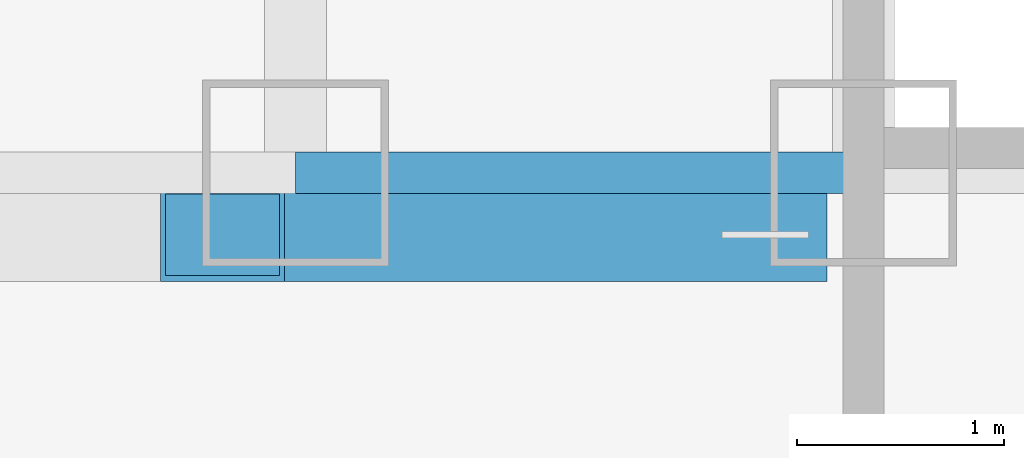
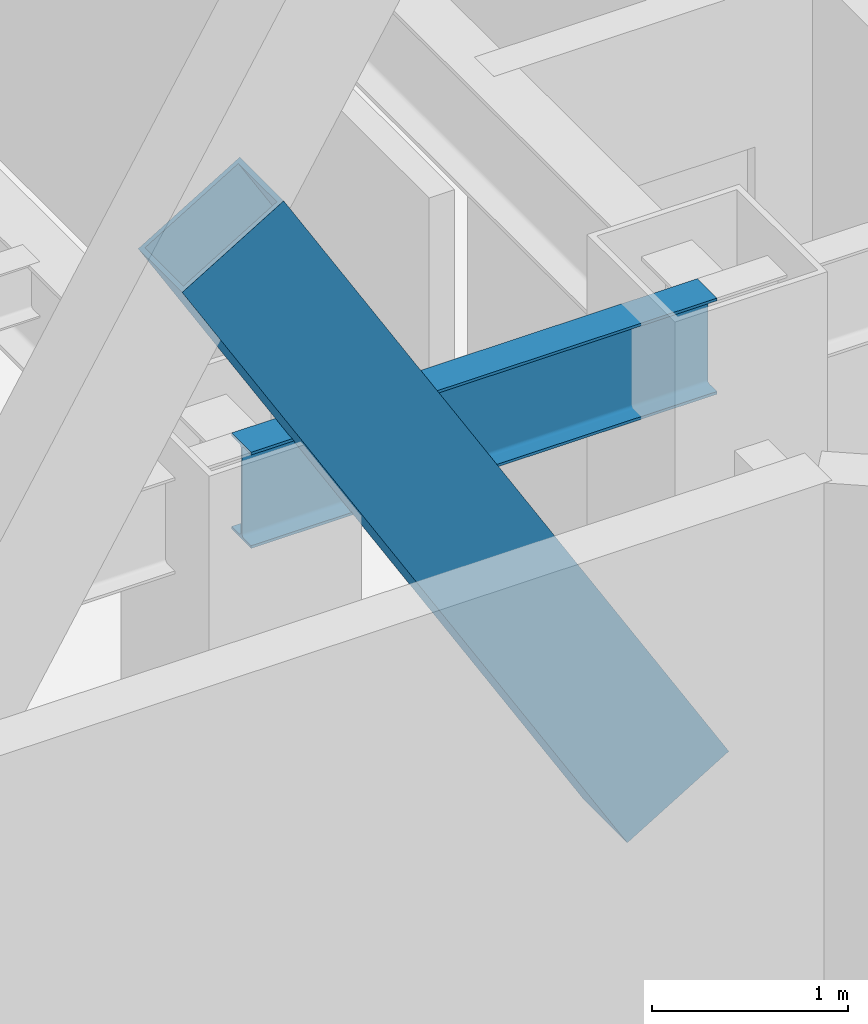
# One storey, part 3 of 30: 1 beam, 1 member.
"""IFC4 building model written with IfcOpenShell, lengths in metres."""

from ifc_helpers import new_model, si_unit, direction, frame, origin, origin_2d, place, context, subcontext, project, spatial, hollow_rectangle, i_section, extrude, material, material_profile, profile_set, type_object, element, save


model = new_model("IFC4")

# Units and contexts
model_context = context("Model", 3, precision=1e-05, world=origin(), true_north=direction((0.0, 1.0)))
body_context = subcontext(model_context, "Body", "Model", "MODEL_VIEW")
ifc_project = project(units=[si_unit("LENGTHUNIT", "METRE"), si_unit("AREAUNIT", "SQUARE_METRE"), si_unit("VOLUMEUNIT", "CUBIC_METRE"), si_unit("PLANEANGLEUNIT", "RADIAN"), si_unit("MASSUNIT", "GRAM", prefix="KILO")], contexts=[model_context])

# Site, building, storey
site_placement = place(None, origin())
site = spatial("IfcSite", under=ifc_project, at=site_placement, CompositionType="ELEMENT")
building_placement = place(site_placement, origin())
building = spatial("IfcBuilding", under=site, at=building_placement, Name="Hatsunagi Terrace Concourse", CompositionType="ELEMENT")
storey_placement = place(building_placement, frame((0.0, 0.0, 74.60009765625)))
storey = spatial("IfcBuildingStorey", under=building, at=storey_placement, Name="L19", CompositionType="ELEMENT", Elevation=74.60009765625)

# Beam
ifc_material_1 = material(Name="Steel SN490B", Category="steel")
ifc_material_profile_1 = material_profile(ifc_material_1, i_section(OverallWidth=0.199951171875, OverallDepth=0.60009765625, WebThickness=0.010986328125, FlangeThickness=0.01708984375, FilletRadius=0.01806640625, at=origin_2d()), Name="H-600x200x11x17")
ifc_profile_set_1 = profile_set([ifc_material_profile_1], Name="Steel SN490B")
beam_type = type_object("IfcBeamType", Name="PerimeterSpandrel_H_600x200", PredefinedType="SPANDREL", material=ifc_profile_set_1)
beam_placement = place(storey_placement, frame((22.800048828125, 25.199951171875, 2.829833984375), z_axis=(1.0, 0.0, 0.0), x_axis=(0.0, 1.0, 0.0)))
element("IfcBeam", 1, at=beam_placement, inside=storey, type_object=beam_type, Name="Beam SP-01 BM-L19-WS-22", PredefinedType="SPANDREL", context=body_context, shape_type="SweptSolid", body=[
    extrude(i_section(OverallWidth=0.199951171875, OverallDepth=0.60009765625, WebThickness=0.010986328125, FlangeThickness=0.01708984375, FilletRadius=0.01806640625, at=origin_2d()), origin(), (0.0, 0.0, 1.0), 2.75),
])

# Member
ifc_material_2 = material(Name="Steel SN490B", Category="steel")
ifc_material_profile_2 = material_profile(ifc_material_2, hollow_rectangle(XDim=0.449951171875, YDim=0.699951171875, WallThickness=0.028076171875, at=origin_2d()), Name="RHS-700x450x28")
ifc_profile_set_2 = profile_set([ifc_material_profile_2], Name="Steel SN490B")
member_type = type_object("IfcMemberType", Name="PerimeterXBrace_Lower_RHS_700x450x28", PredefinedType="BRACE", material=ifc_profile_set_2)
member_placement = place(storey_placement, frame((22.447021484375, 24.89990234375, 4.794921875), z_axis=(0.516654048196, 0.0, -0.856194250438), x_axis=(0.0, 1.0, 0.0)))
element("IfcMember", 2, at=member_placement, inside=storey, type_object=member_type, Name="Perimeter X-Brace Split Lower XB-01 XB-L19-W1B2", PredefinedType="BRACE", context=body_context, shape_type="SweptSolid", body=[
    extrude(hollow_rectangle(XDim=0.449951171875, YDim=0.699951171875, WallThickness=0.028076171875, at=origin_2d()), origin(), (0.0, 0.0, 1.0), 5.08642578125),
])

save(model, "model.ifc")
